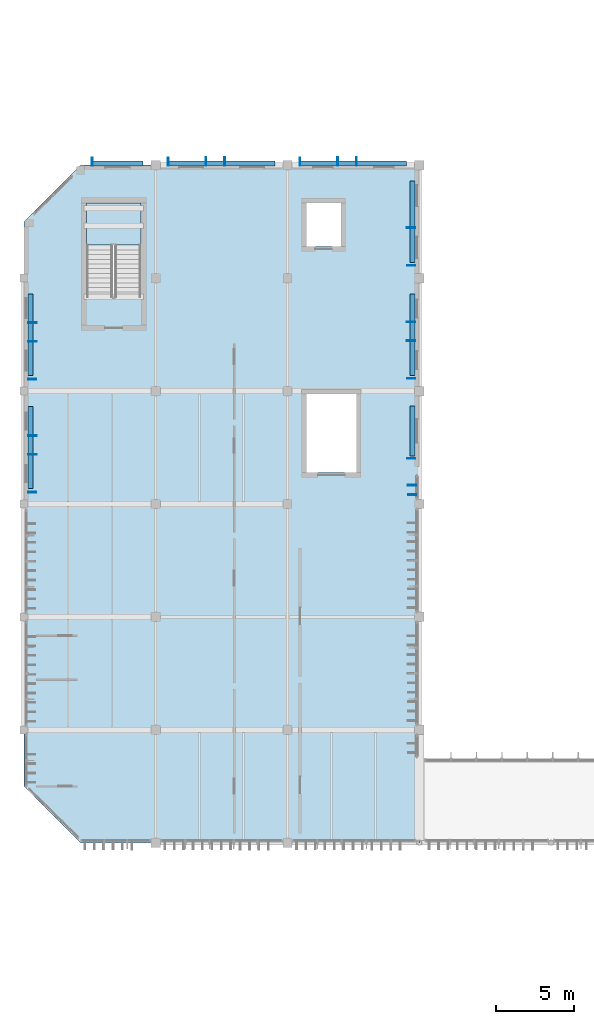
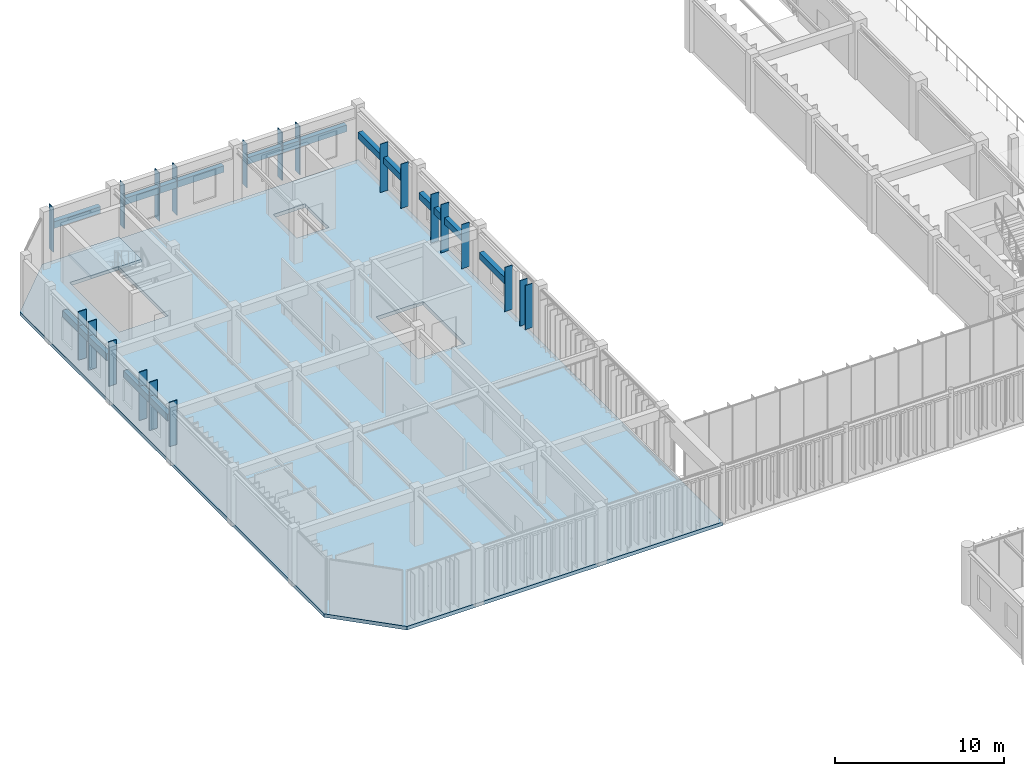
# One storey, part 24 of 122: 29 plates, 2 slabs, 1 element without a shape of its own.
"""IFC4 building model written with IfcOpenShell, lengths in metres."""

from ifc_helpers import new_model, si_unit, direction, frame, origin, origin_2d, place, context, subcontext, project, spatial, polyline, rectangle, outline, extrude, material, layer, layer_set, type_object, element, aggregate, save


model = new_model("IFC4")

# Units and contexts
model_context = context("Model", 3, precision=1e-05, world=origin(), true_north=direction((0.0, 1.0)))
body_context = subcontext(model_context, "Body", "Model", "MODEL_VIEW")
ifc_project = project(units=[si_unit("LENGTHUNIT", "METRE"), si_unit("AREAUNIT", "SQUARE_METRE"), si_unit("VOLUMEUNIT", "CUBIC_METRE"), si_unit("PLANEANGLEUNIT", "RADIAN"), si_unit("MASSUNIT", "GRAM", prefix="KILO")], contexts=[model_context])

# Site, building, storey
site_placement = place(None, origin())
site = spatial("IfcSite", under=ifc_project, at=site_placement, CompositionType="ELEMENT")
building_placement = place(site_placement, origin())
building = spatial("IfcBuilding", under=site, at=building_placement, Name="Tazoul Stagehouse", CompositionType="ELEMENT")
storey_placement = place(building_placement, frame((0.0, 0.0, 4.800048828125)))
storey = spatial("IfcBuildingStorey", under=building, at=storey_placement, Name="L01", CompositionType="ELEMENT", Elevation=4.800048828125)

# Stair, slab
ifc_material_1 = material(Name="Concrete C40/50", Category="concrete")
stair_type = type_object("IfcStairType", Name="Protected Core Dogleg Stair 3900", PredefinedType="HALF_TURN_STAIR", material=ifc_material_1)
stair_placement = place(storey_placement, origin())
stair = element("IfcStair", 1, at=stair_placement, inside=storey, type_object=stair_type, Name="L01 Core Escape Stair ST-06", PredefinedType="HALF_TURN_STAIR")
ifc_layer_1 = layer(ifc_material_1, 0.179931640625, Name="Concrete C40/50")
ifc_layer_set_1 = layer_set([ifc_layer_1], Name="Concrete C40/50")
slab_type_1 = type_object("IfcSlabType", Name="Core Half-Landing Slab 180", PredefinedType="LANDING", material=ifc_layer_set_1)
slab_1_placement = place(storey_placement, frame((0.0, 0.0, 1.89990234375)))
slab_1 = element("IfcSlab", 2, at=slab_1_placement, type_object=slab_type_1, Name="ST-06 landing 1", PredefinedType="LANDING", context=body_context, shape_type="SweptSolid", body=[
    extrude(outline(polyline([(9.85009765625, 82.699951171875), (9.85009765625, 85.39990234375), (6.39990234375, 85.39990234375), (6.39990234375, 82.699951171875), (9.85009765625, 82.699951171875)])), origin(), (0.0, 0.0, 1.0), 0.199951171875),
])
aggregate(stair, [slab_1])

# Plates
ifc_material_2 = material(Name="Anodised Bronze Aluminium 6063-T6", Category="aluminium")
ifc_layer_2 = layer(ifc_material_2, 0.52001953125, Name="Anodised Bronze Aluminium 6063-T6")
ifc_layer_set_2 = layer_set([ifc_layer_2], Name="Anodised Bronze Aluminium 6063-T6")
plate_type_1 = type_object("IfcPlateType", Name="Parametric Terracotta-Bronze Solar Fin 520x3200", PredefinedType="USERDEFINED", material=ifc_layer_set_2)
for number, where, z_axis, x_axis, name in (
    (3, (2.919921875, 66.955078125, 0.6201171875), (0.0, 0.0, 1.0), (0.0, 1.0, 0.0), "L01 Parametric Solar Fin SFN-18 (WALL-V6-W2-L01-S1-01)"),
    (4, (2.919921875, 74.155029296875, 0.6201171875), (0.0, 0.0, 1.0), (0.0, 1.0, 0.0), "L01 Parametric Solar Fin SFN-18 (WALL-V6-W2-L01-S2-01)"),
    (5, (6.7548828125, 88.02001953125, 0.6201171875), (0.0, 0.0, 1.0), (1.0, 0.0, 0.0), "L01 Parametric Solar Fin SFN-18 (WALL-V6-N-L01-S1-01)"),
    (6, (11.60498046875, 88.02001953125, 0.6201171875), (0.0, 0.0, 1.0), (1.0, 0.0, 0.0), "L01 Parametric Solar Fin SFN-18 (WALL-V6-N-L01-S2-01)"),
    (7, (20.0048828125, 88.02001953125, 0.6201171875), (0.0, 0.0, 1.0), (1.0, 0.0, 0.0), "L01 Parametric Solar Fin SFN-18 (WALL-V6-N-L01-S3-01)"),
    (8, (27.14990234375, 66.7900390625, 0.68994140625), (0.0, 0.0, 1.0), (0.0, 1.0, 0.0), "L01 Parametric Solar Fin SFN-18 (CW-V6-E1-L01-B4-01)"),
    (9, (27.080078125, 69.10009765625, 0.6201171875), (0.0, 0.0, 1.0), (0.0, 1.0, 0.0), "L01 Parametric Solar Fin SFN-18 (WALL-V6-E2-L01-S1-01)"),
    (10, (27.080078125, 74.205078125, 0.6201171875), (0.0, 0.0, 1.0), (0.0, 1.0, 0.0), "L01 Parametric Solar Fin SFN-18 (WALL-V6-E2-L01-S2-01)"),
    (11, (27.080078125, 81.405029296875, 0.6201171875), (0.0, 0.0, 1.0), (0.0, 1.0, 0.0), "L01 Parametric Solar Fin SFN-18 (WALL-V6-E2-L01-S3-01)"),
):
    element("IfcPlate", number, at=place(storey_placement, frame(where, z_axis=z_axis, x_axis=x_axis)), inside=storey, type_object=plate_type_1, Name=name, ObjectType="SOLAR FIN", PredefinedType="USERDEFINED", context=body_context, shape_type="SweptSolid", body=[
        extrude(rectangle(XDim=0.044921875, YDim=0.52001953125, at=origin_2d()), origin(), (0.0, 0.0, 1.0), 3.199951171875),
    ])
ifc_layer_3 = layer(ifc_material_2, 0.530029296875, Name="Anodised Bronze Aluminium 6063-T6")
ifc_layer_set_3 = layer_set([ifc_layer_3], Name="Anodised Bronze Aluminium 6063-T6")
plate_type_2 = type_object("IfcPlateType", Name="Parametric Terracotta-Bronze Solar Fin 530x3300", PredefinedType="USERDEFINED", material=ifc_layer_set_3)
plate_placement = place(storey_placement, frame((27.14501953125, 67.389892578125, 0.58984375), z_axis=(0.0, 0.0, 1.0), x_axis=(0.0, 1.0, 0.0)))
element("IfcPlate", 12, at=plate_placement, inside=storey, type_object=plate_type_2, Name="L01 Parametric Solar Fin SFN-19 (CW-V6-E1-L01-B4-02)", ObjectType="SOLAR FIN", PredefinedType="USERDEFINED", context=body_context, shape_type="SweptSolid", body=[
    extrude(rectangle(XDim=0.044921875, YDim=0.530029296875, at=origin_2d()), origin(), (0.0, 0.0, 1.0), 3.300048828125),
])
ifc_layer_4 = layer(ifc_material_2, 0.550048828125, Name="Anodised Bronze Aluminium 6063-T6")
ifc_layer_set_4 = layer_set([ifc_layer_4], Name="Anodised Bronze Aluminium 6063-T6")
plate_type_3 = type_object("IfcPlateType", Name="Parametric Terracotta-Bronze Solar Fin 550x3500", PredefinedType="USERDEFINED", material=ifc_layer_set_4)
for number, where, z_axis, x_axis, name in (
    (13, (2.93505859375, 69.35498046875, 0.320068359375), (0.0, 0.0, 1.0), (0.0, 1.0, 0.0), "L01 Parametric Solar Fin SFN-21 (WALL-V6-W2-L01-S1-03)"),
    (14, (2.93505859375, 70.554931640625, 0.320068359375), (0.0, 0.0, 1.0), (0.0, 1.0, 0.0), "L01 Parametric Solar Fin SFN-21 (WALL-V6-W2-L01-S1-04)"),
    (15, (2.93505859375, 76.554931640625, 0.320068359375), (0.0, 0.0, 1.0), (0.0, 1.0, 0.0), "L01 Parametric Solar Fin SFN-21 (WALL-V6-W2-L01-S2-03)"),
    (16, (2.93505859375, 77.7548828125, 0.320068359375), (0.0, 0.0, 1.0), (0.0, 1.0, 0.0), "L01 Parametric Solar Fin SFN-21 (WALL-V6-W2-L01-S2-04)"),
    (17, (14.0048828125, 88.034912109375, 0.320068359375), (0.0, 0.0, 1.0), (1.0, 0.0, 0.0), "L01 Parametric Solar Fin SFN-21 (WALL-V6-N-L01-S2-03)"),
    (18, (15.205078125, 88.034912109375, 0.320068359375), (0.0, 0.0, 1.0), (1.0, 0.0, 0.0), "L01 Parametric Solar Fin SFN-21 (WALL-V6-N-L01-S2-04)"),
    (19, (22.405029296875, 88.034912109375, 0.320068359375), (0.0, 0.0, 1.0), (1.0, 0.0, 0.0), "L01 Parametric Solar Fin SFN-21 (WALL-V6-N-L01-S3-03)"),
    (20, (23.60498046875, 88.034912109375, 0.320068359375), (0.0, 0.0, 1.0), (1.0, 0.0, 0.0), "L01 Parametric Solar Fin SFN-21 (WALL-V6-N-L01-S3-04)"),
    (21, (27.06494140625, 76.60498046875, 0.320068359375), (0.0, 0.0, 1.0), (0.0, 1.0, 0.0), "L01 Parametric Solar Fin SFN-21 (WALL-V6-E2-L01-S2-03)"),
    (22, (27.06494140625, 77.804931640625, 0.320068359375), (0.0, 0.0, 1.0), (0.0, 1.0, 0.0), "L01 Parametric Solar Fin SFN-21 (WALL-V6-E2-L01-S2-04)"),
    (23, (27.06494140625, 83.804931640625, 0.320068359375), (0.0, 0.0, 1.0), (0.0, 1.0, 0.0), "L01 Parametric Solar Fin SFN-21 (WALL-V6-E2-L01-S3-03)"),
):
    element("IfcPlate", number, at=place(storey_placement, frame(where, z_axis=z_axis, x_axis=x_axis)), inside=storey, type_object=plate_type_3, Name=name, ObjectType="SOLAR FIN", PredefinedType="USERDEFINED", context=body_context, shape_type="SweptSolid", body=[
        extrude(rectangle(XDim=0.044921875, YDim=0.550048828125, at=origin_2d()), origin(), (0.0, 0.0, 1.0), 3.5),
    ])
ifc_layer_5 = layer(ifc_material_2, 0.320068359375, Name="Anodised Bronze Aluminium 6063-T6")
ifc_layer_set_5 = layer_set([ifc_layer_5], Name="Anodised Bronze Aluminium 6063-T6")
plate_type_4 = type_object("IfcPlateType", Name="Sculpted Facade Spandrel Ribbon 3200x480", PredefinedType="USERDEFINED", material=ifc_layer_set_5)
for number, where, z_axis, x_axis, name in (
    (24, (8.375, 87.919921875, 2.321044921875), (0.0, 0.0, 1.0), (1.0, 0.0, 0.0), "L01 Sculpted Facade Spandrel Ribbon FRB-04 (WALL-V6-N-L01-S1)"),
    (25, (27.179931640625, 70.847412109375, 2.321044921875), (0.0, 0.0, 1.0), (0.0, 1.0, 0.0), "L01 Sculpted Facade Spandrel Ribbon FRB-04 (WALL-V6-E2-L01-S1)"),
):
    element("IfcPlate", number, at=place(storey_placement, frame(where, z_axis=z_axis, x_axis=x_axis)), inside=storey, type_object=plate_type_4, Name=name, ObjectType="FACADE RIBBON", PredefinedType="USERDEFINED", context=body_context, shape_type="SweptSolid", body=[
        extrude(rectangle(XDim=3.199951171875, YDim=0.320068359375, at=origin_2d()), origin(), (0.0, 0.0, 1.0), 0.47998046875),
    ])
ifc_layer_6 = layer(ifc_material_2, 0.320068359375, Name="Anodised Bronze Aluminium 6063-T6")
ifc_layer_set_6 = layer_set([ifc_layer_6], Name="Anodised Bronze Aluminium 6063-T6")
plate_type_5 = type_object("IfcPlateType", Name="Sculpted Facade Spandrel Ribbon 5200x480", PredefinedType="USERDEFINED", material=ifc_layer_set_6)
for number, where, z_axis, x_axis, name in (
    (26, (2.820068359375, 69.800048828125, 2.321044921875), (0.0, 0.0, 1.0), (0.0, 1.0, 0.0), "L01 Sculpted Facade Spandrel Ribbon FRB-07 (WALL-V6-W2-L01-S1)"),
    (27, (2.820068359375, 77.0, 2.321044921875), (0.0, 0.0, 1.0), (0.0, 1.0, 0.0), "L01 Sculpted Facade Spandrel Ribbon FRB-07 (WALL-V6-W2-L01-S2)"),
    (28, (27.179931640625, 77.0, 2.321044921875), (0.0, 0.0, 1.0), (0.0, 1.0, 0.0), "L01 Sculpted Facade Spandrel Ribbon FRB-07 (WALL-V6-E2-L01-S2)"),
    (29, (27.179931640625, 84.199951171875, 2.321044921875), (0.0, 0.0, 1.0), (0.0, 1.0, 0.0), "L01 Sculpted Facade Spandrel Ribbon FRB-07 (WALL-V6-E2-L01-S3)"),
):
    element("IfcPlate", number, at=place(storey_placement, frame(where, z_axis=z_axis, x_axis=x_axis)), inside=storey, type_object=plate_type_5, Name=name, ObjectType="FACADE RIBBON", PredefinedType="USERDEFINED", context=body_context, shape_type="SweptSolid", body=[
        extrude(rectangle(XDim=5.199951171875, YDim=0.320068359375, at=origin_2d()), origin(), (0.0, 0.0, 1.0), 0.47998046875),
    ])
ifc_layer_7 = layer(ifc_material_2, 0.320068359375, Name="Anodised Bronze Aluminium 6063-T6")
ifc_layer_set_7 = layer_set([ifc_layer_7], Name="Anodised Bronze Aluminium 6063-T6")
plate_type_6 = type_object("IfcPlateType", Name="Sculpted Facade Spandrel Ribbon 6800x480", PredefinedType="USERDEFINED", material=ifc_layer_set_7)
for number, where, z_axis, x_axis, name in (
    (30, (15.0, 87.919921875, 2.321044921875), (0.0, 0.0, 1.0), (1.0, 0.0, 0.0), "L01 Sculpted Facade Spandrel Ribbon FRB-10 (WALL-V6-N-L01-S2)"),
    (31, (23.39990234375, 87.919921875, 2.321044921875), (0.0, 0.0, 1.0), (1.0, 0.0, 0.0), "L01 Sculpted Facade Spandrel Ribbon FRB-10 (WALL-V6-N-L01-S3)"),
):
    element("IfcPlate", number, at=place(storey_placement, frame(where, z_axis=z_axis, x_axis=x_axis)), inside=storey, type_object=plate_type_6, Name=name, ObjectType="FACADE RIBBON", PredefinedType="USERDEFINED", context=body_context, shape_type="SweptSolid", body=[
        extrude(rectangle(XDim=6.800048828125, YDim=0.320068359375, at=origin_2d()), origin(), (0.0, 0.0, 1.0), 0.47998046875),
    ])

# Slab
ifc_material_3 = material(Name="Concrete C35/45", Category="concrete")
ifc_layer_8 = layer(ifc_material_3, 0.260009765625, Name="Concrete C35/45")
ifc_layer_set_8 = layer_set([ifc_layer_8], Name="Concrete C35/45")
slab_type_2 = type_object("IfcSlabType", Name="Suspended Floor Slab 260", PredefinedType="FLOOR", material=ifc_layer_set_8)
slab_2_placement = place(storey_placement, frame((0.0, 0.0, -0.260009765625)))
element("IfcSlab", 32, at=slab_2_placement, inside=storey, type_object=slab_type_2, Name="L01 Suspended Floor Slab 260 (V6)", PredefinedType="FLOOR", context=body_context, shape_type="SweptSolid", body=[
    extrude(outline(polyline([(6.0, 44.60009765625), (2.39990234375, 48.199951171875), (2.39990234375, 84.199951171875), (6.0, 87.800048828125), (27.60009765625, 87.800048828125), (27.60009765625, 44.60009765625), (6.0, 44.60009765625)]), holes=[polyline([(20.39990234375, 73.199951171875), (23.60009765625, 73.199951171875), (23.60009765625, 68.199951171875), (20.39990234375, 68.199951171875), (20.39990234375, 73.199951171875)]), polyline([(6.4599609375, 85.340087890625), (9.7900390625, 85.340087890625), (9.7900390625, 79.4599609375), (6.4599609375, 79.4599609375), (6.4599609375, 85.340087890625)]), polyline([(20.39990234375, 85.39990234375), (22.60009765625, 85.39990234375), (22.60009765625, 82.60009765625), (20.39990234375, 82.60009765625), (20.39990234375, 85.39990234375)])]), origin(), (0.0, 0.0, 1.0), 0.260009765625),
])

save(model, "model.ifc")
